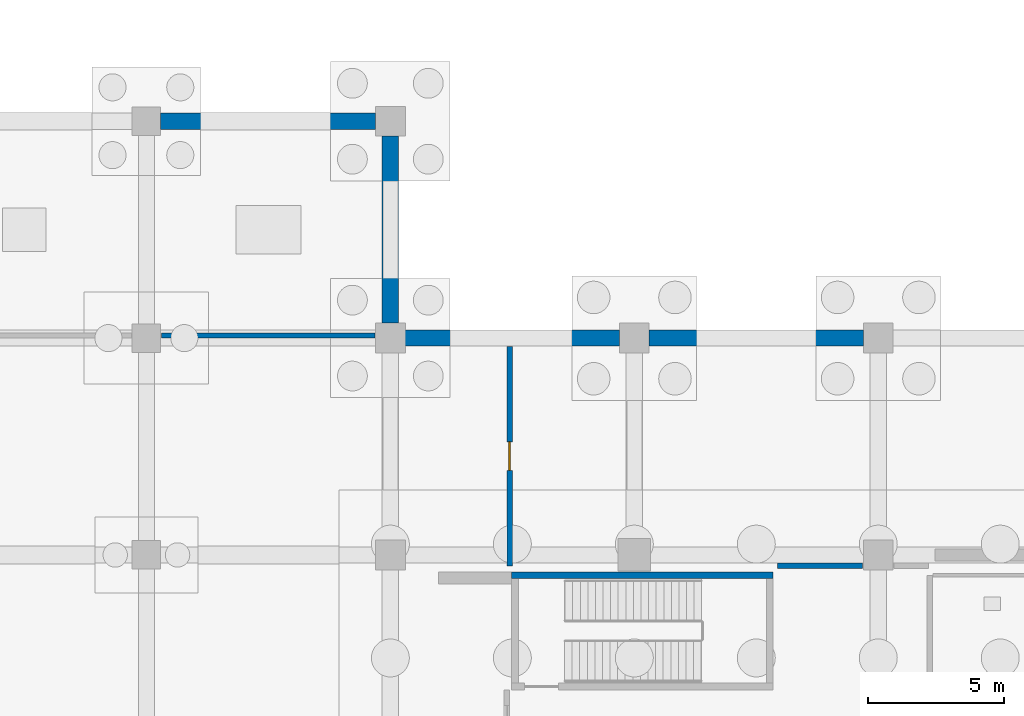
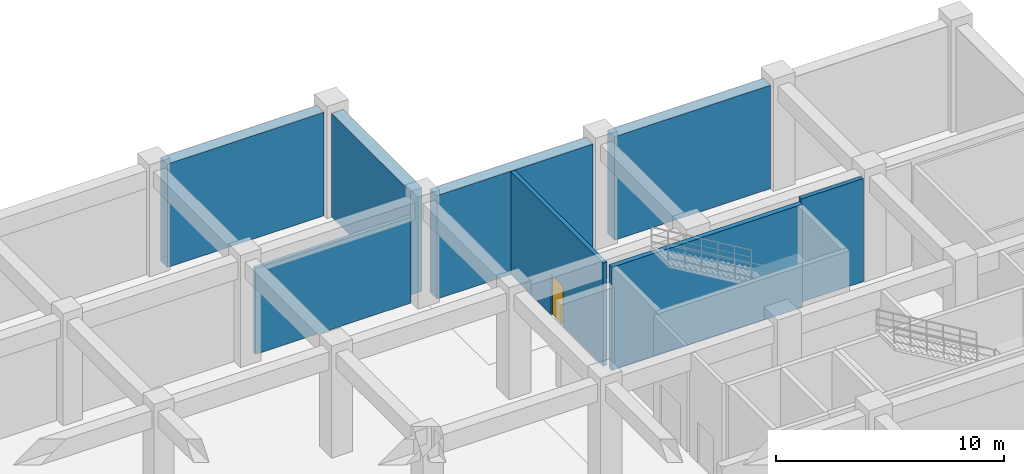
# One storey, part 11 of 18: 8 walls, 1 door, 1 opening.
"""IFC4 building model written with IfcOpenShell, lengths in metres."""

from ifc_helpers import new_model, si_unit, derived_unit, direction, frame, frame_2d, origin, place, context, subcontext, project, spatial, rectangle, extrude, material, layer, layer_set, type_object, element, fill, save


model = new_model("IFC4")

# Units and contexts
model_context = context("Model", 3, precision=1e-05, world=origin(), true_north=direction((0.0, 1.0)))
body_context = subcontext(model_context, "Body", "Model", "MODEL_VIEW")
ifc_project = project(units=[si_unit("LENGTHUNIT", "METRE"), si_unit("AREAUNIT", "SQUARE_METRE"), si_unit("VOLUMEUNIT", "CUBIC_METRE"), si_unit("PLANEANGLEUNIT", "RADIAN"), si_unit("MASSUNIT", "GRAM", prefix="KILO"), derived_unit("THERMALTRANSMITTANCEUNIT", [(si_unit("MASSUNIT", "GRAM", prefix="KILO"), 1), (si_unit("TIMEUNIT", "SECOND"), -3), (si_unit("THERMODYNAMICTEMPERATUREUNIT", "KELVIN"), -1)])], contexts=[model_context])

# Site, building, storey
site_placement = place(None, origin())
site = spatial("IfcSite", under=ifc_project, at=site_placement, CompositionType="ELEMENT")
building_placement = place(site_placement, origin())
building = spatial("IfcBuilding", under=site, at=building_placement, Name="Zhenchuan Archway Interchange", CompositionType="ELEMENT")
storey_placement = place(building_placement, frame((0.0, 0.0, -12.0)))
storey = spatial("IfcBuildingStorey", under=building, at=storey_placement, Name="B2", CompositionType="ELEMENT", Elevation=-12.0)

# Walls
ifc_material_1 = material(Name="Concrete C40", Category="concrete")
ifc_layer_1 = layer(ifc_material_1, 0.60009765625)
ifc_layer_set_1 = layer_set([ifc_layer_1], Name="Concrete C40")
wall_type_1 = type_object("IfcWallType", Name="EW_DIAPH_600", PredefinedType="STANDARD", material=ifc_layer_set_1)
wall_1_placement = place(storey_placement, frame((135.52294921875, 80.0, 0.0), z_axis=(0.0, 0.0, 1.0), x_axis=(1.0, 0.0, 0.0)))
element("IfcWall", 1, at=wall_1_placement, inside=storey, type_object=wall_type_1, Name="Basement diaphragm wall B2-020", PredefinedType="STANDARD", context=body_context, shape_type="SweptSolid", body=[
    extrude(rectangle(XDim=7.928955078125, YDim=0.60009765625, at=frame_2d((3.96435546875, 0.0))), origin(), (0.0, 0.0, 1.0), 5.5400390625),
])
wall_2_placement = place(storey_placement, frame((144.0, 79.451904296875, 0.0), z_axis=(0.0, 0.0, 1.0), x_axis=(0.0, -1.0, 0.0)))
element("IfcWall", 2, at=wall_2_placement, inside=storey, type_object=wall_type_1, Name="Basement diaphragm wall B2-021", PredefinedType="STANDARD", context=body_context, shape_type="SweptSolid", body=[
    extrude(rectangle(XDim=6.90380859375, YDim=0.60009765625, at=frame_2d((3.451904296875, 0.0))), origin(), (0.0, 0.0, 1.0), 5.5400390625),
])
for number, where, z_axis, x_axis, name in (
    (3, (144.548095703125, 72.0, 0.0), (0.0, 0.0, 1.0), (1.0, 0.0, 0.0), "Basement diaphragm wall B2-022"),
    (4, (153.548095703125, 72.0, 0.0), (0.0, 0.0, 1.0), (1.0, 0.0, 0.0), "Basement diaphragm wall B2-023"),
):
    element("IfcWall", number, at=place(storey_placement, frame(where, z_axis=z_axis, x_axis=x_axis)), inside=storey, type_object=wall_type_1, Name=name, PredefinedType="STANDARD", context=body_context, shape_type="SweptSolid", body=[
        extrude(rectangle(XDim=7.90380859375, YDim=0.60009765625, at=frame_2d((3.951904296875, 0.0))), origin(), (0.0, 0.0, 1.0), 5.5400390625),
    ])
ifc_material_2 = material(Name="Autoclaved Aerated Concrete Block", Category="concrete")
ifc_layer_2 = layer(ifc_material_2, 0.199951171875)
ifc_layer_set_2 = layer_set([ifc_layer_2], Name="Autoclaved Aerated Concrete Block")
wall_type_2 = type_object("IfcWallType", Name="WL_FIRE_200", PredefinedType="STANDARD", material=ifc_layer_set_2)
wall_3_placement = place(storey_placement, frame((158.27490234375, 63.60009765625, 0.0), z_axis=(0.0, 0.0, 1.0), x_axis=(1.0, 0.0, 0.0)))
element("IfcWall", 5, at=wall_3_placement, inside=storey, type_object=wall_type_2, Name="Fire Sprinkler and Storm Sump Pump Room S partition (B2)", PredefinedType="STANDARD", context=body_context, shape_type="SweptSolid", body=[
    extrude(rectangle(XDim=3.150146484375, YDim=0.199951171875, at=frame_2d((1.5751953125, 0.0))), origin(), (0.0, 0.0, 1.0), 5.530029296875),
])

# Wall, opening, door
wall_4_placement = place(storey_placement, frame((148.39990234375, 63.60009765625, 0.0), z_axis=(0.0, 0.0, 1.0), x_axis=(0.0, 1.0, 0.0)))
wall_4 = element("IfcWall", 6, at=wall_4_placement, inside=storey, type_object=wall_type_2, Name="Fire Sprinkler and Storm Sump Pump Room W partition (B2)", PredefinedType="STANDARD", context=body_context, shape_type="SweptSolid", body=[
    extrude(rectangle(XDim=8.08984375, YDim=0.199951171875, at=frame_2d((4.044921875, 0.0))), origin(), (0.0, 0.0, 1.0), 5.530029296875),
])
opening_placement = place(wall_4_placement, frame((3.52001953125, 0.0, 0.0)))
opening = element("IfcOpeningElement", 7, at=opening_placement, cuts=wall_4, Name="Opening FD-03", PredefinedType="OPENING", context=body_context, shape_type="SweptSolid", body=[
    extrude(rectangle(XDim=1.050048828125, YDim=2.14990234375, at=frame_2d((0.52490234375, 1.074951171875))), frame((0.0, 0.11181640625, 0.0), z_axis=(0.0, -1.0, 0.0), x_axis=(1.0, 0.0, 0.0)), (0.0, 0.0, 1.0), 0.223876953125),
])
ifc_material_3 = material(Name="Painted Galvanised Steel", Category="steel")
door_type = type_object("IfcDoorType", Name="DR_PLANT_FD60_S", OperationType="NOTDEFINED", PredefinedType="DOOR", material=ifc_material_3)
door_placement = place(opening_placement, origin())
door = element("IfcDoor", 8, at=door_placement, inside=storey, type_object=door_type, Name="Fire Sprinkler and Storm Sump Pump Room door (B2)", OperationType="SINGLE_SWING_LEFT", OverallHeight=2.14990234375, OverallWidth=1.050048828125, PredefinedType="DOOR", context=body_context, shape_type="SweptSolid", body=[
    extrude(rectangle(XDim=1.050048828125, YDim=2.14990234375, at=frame_2d((0.52490234375, 1.074951171875))), frame((0.0, 0.02490234375, 0.0), z_axis=(0.0, -1.0, 0.0), x_axis=(1.0, 0.0, 0.0)), (0.0, 0.0, 1.0), 0.050048828125),
])
fill(opening, door)

# Walls
ifc_material_4 = material(Name="Concrete Block Masonry", Category="masonry")
ifc_layer_3 = layer(ifc_material_4, 0.179931640625)
ifc_layer_set_3 = layer_set([ifc_layer_3], Name="Concrete Block Masonry")
wall_type_3 = type_object("IfcWallType", Name="WL_PART_180", PredefinedType="STANDARD", material=ifc_layer_set_3)
wall_5_placement = place(storey_placement, frame((135.550048828125, 72.10009765625, 0.0), z_axis=(0.0, 0.0, 1.0), x_axis=(1.0, 0.0, 0.0)))
element("IfcWall", 9, at=wall_5_placement, inside=storey, type_object=wall_type_3, Name="Trackside Signalling Relay Room S partition (B2)", PredefinedType="STANDARD", context=body_context, shape_type="SweptSolid", body=[
    extrude(rectangle(XDim=7.875, YDim=0.179931640625, at=frame_2d((3.9375, 0.0))), origin(), (0.0, 0.0, 1.0), 4.610107421875),
])
ifc_layer_4 = layer(ifc_material_1, 0.25)
ifc_layer_set_4 = layer_set([ifc_layer_4], Name="Concrete C40")
wall_type_4 = type_object("IfcWallType", Name="WL_STAIR_250", PredefinedType="SHEAR", material=ifc_layer_set_4)
wall_6_placement = place(storey_placement, frame((158.125, 63.25, 0.0), z_axis=(0.0, 0.0, 1.0), x_axis=(-1.0, 0.0, 0.0)))
element("IfcWall", 10, at=wall_6_placement, inside=storey, type_object=wall_type_4, Name="Stair ST-O1 north wall (B2)", PredefinedType="SHEAR", context=body_context, shape_type="SweptSolid", body=[
    extrude(rectangle(XDim=9.64990234375, YDim=0.25, at=frame_2d((4.824951171875, 0.0))), origin(), (0.0, 0.0, 1.0), 5.530029296875),
])

save(model, "model.ifc")
